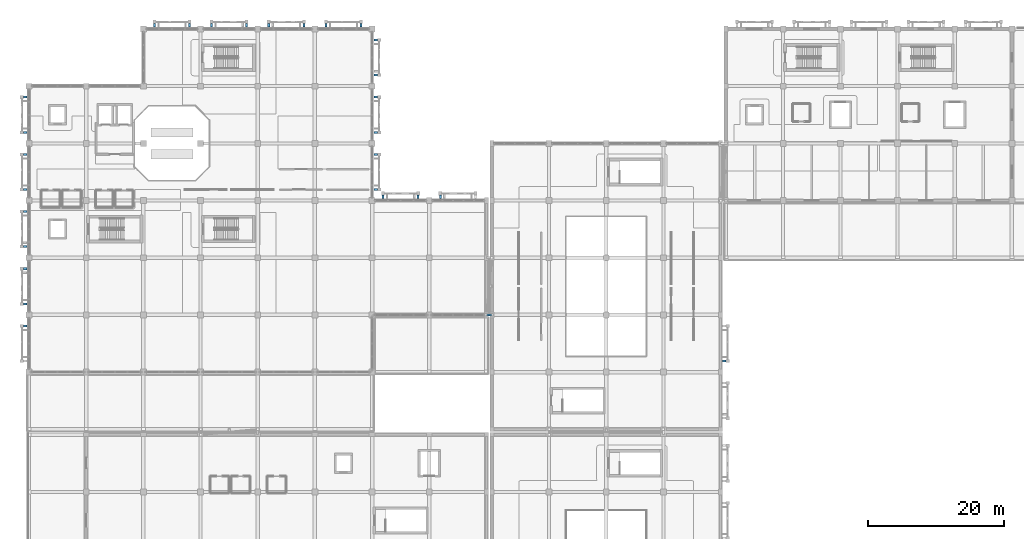
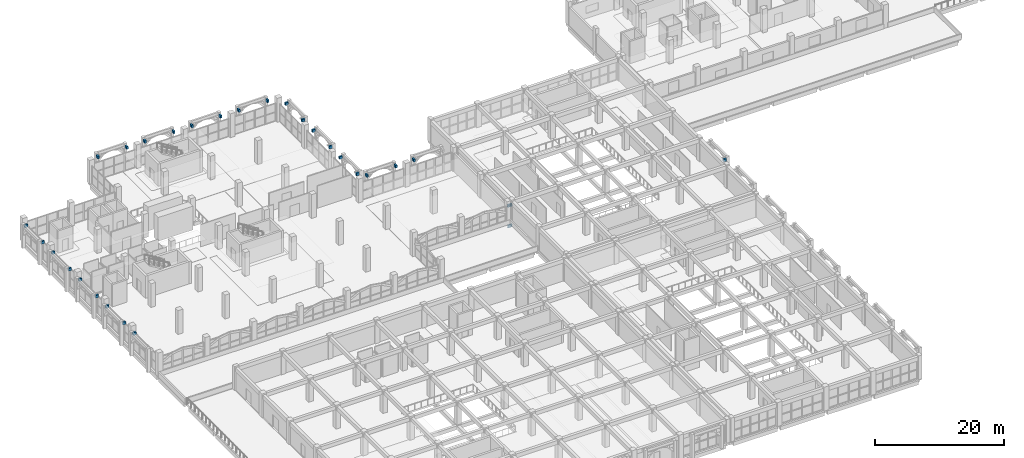
# One storey, part 78 of 129: 29 beams, 1 member.
"""IFC4 building model written with IfcOpenShell, lengths in metres."""

from ifc_helpers import new_model, si_unit, direction, frame, origin, origin_2d, place, context, subcontext, project, spatial, rectangle, hollow_rectangle, i_section, extrude, material, material_profile, profile_set, type_object, element, save


model = new_model("IFC4")

# Units and contexts
model_context = context("Model", 3, precision=1e-05, world=origin(), true_north=direction((0.0, 1.0)))
body_context = subcontext(model_context, "Body", "Model", "MODEL_VIEW")
ifc_project = project(units=[si_unit("LENGTHUNIT", "METRE"), si_unit("AREAUNIT", "SQUARE_METRE"), si_unit("VOLUMEUNIT", "CUBIC_METRE"), si_unit("PLANEANGLEUNIT", "RADIAN"), si_unit("MASSUNIT", "GRAM", prefix="KILO")], contexts=[model_context])

# Site, building, storey
site_placement = place(None, origin())
site = spatial("IfcSite", under=ifc_project, at=site_placement, CompositionType="ELEMENT")
building_placement = place(site_placement, origin())
building = spatial("IfcBuilding", under=site, at=building_placement, Name="Xazarin Passage Department Store", CompositionType="ELEMENT")
storey_placement = place(building_placement, frame((0.0, 0.0, 9.89990234375)))
storey = spatial("IfcBuildingStorey", under=building, at=storey_placement, Name="L02", CompositionType="ELEMENT", Elevation=9.89990234375)

# Beams
ifc_material_1 = material(Name="Steel S355", Category="steel")
ifc_material_profile_1 = material_profile(ifc_material_1, i_section(OverallWidth=0.300048828125, OverallDepth=0.449951171875, WebThickness=0.013916015625, FlangeThickness=0.02587890625, FilletRadius=0.027099609375, at=origin_2d()), Name="HEB 450")
ifc_profile_set_1 = profile_set([ifc_material_profile_1], Name="Steel S355")
beam_type_1 = type_object("IfcBeamType", Name="STR-BM-BR450", PredefinedType="BEAM", material=ifc_profile_set_1)
beam_1_placement = place(storey_placement, frame((67.199951171875, 68.0, -0.56494140625), z_axis=(1.0, 0.0, 0.0), x_axis=(0.0, 1.0, 0.0)))
element("IfcBeam", 1, at=beam_1_placement, inside=storey, type_object=beam_type_1, Name="L02 BR-V1-V2N Bridge Girder A", PredefinedType="BEAM", context=body_context, shape_type="SweptSolid", body=[
    extrude(i_section(OverallWidth=0.300048828125, OverallDepth=0.449951171875, WebThickness=0.013916015625, FlangeThickness=0.02587890625, FilletRadius=0.027099609375, at=origin_2d()), origin(), (0.0, 0.0, 1.0), 0.800048828125),
])
ifc_material_profile_2 = material_profile(ifc_material_1, i_section(OverallWidth=0.260009765625, OverallDepth=0.25, WebThickness=0.007568359375, FlangeThickness=0.012451171875, FilletRadius=0.02392578125, at=origin_2d()), Name="HEA 260")
ifc_profile_set_2 = profile_set([ifc_material_profile_2], Name="Steel S355")
beam_type_2 = type_object("IfcBeamType", Name="STR-BM-CAN260", PredefinedType="BEAM", material=ifc_profile_set_2)
beam_2_placement = place(storey_placement, frame((67.199951171875, 68.0, 3.47509765625), z_axis=(1.0, 0.0, 0.0), x_axis=(0.0, 1.0, 0.0)))
element("IfcBeam", 2, at=beam_2_placement, inside=storey, type_object=beam_type_2, Name="L02 BR-V1-V2N Bridge Roof Beam A", PredefinedType="BEAM", context=body_context, shape_type="SweptSolid", body=[
    extrude(i_section(OverallWidth=0.260009765625, OverallDepth=0.25, WebThickness=0.007568359375, FlangeThickness=0.012451171875, FilletRadius=0.02392578125, at=origin_2d()), origin(), (0.0, 0.0, 1.0), 0.800048828125),
])
ifc_material_2 = material(Name="Concrete C35/45", Category="concrete")
ifc_material_profile_3 = material_profile(ifc_material_2, rectangle(XDim=0.300048828125, YDim=0.5, at=origin_2d()), Name="RC 300x500")
ifc_profile_set_3 = profile_set([ifc_material_profile_3], Name="Concrete C35/45")
beam_type_3 = type_object("IfcBeamType", Name="STR-BM-LN300x500", PredefinedType="LINTEL", material=ifc_profile_set_3)
for number, where, z_axis, x_axis, name in (
    (3, (18.419921875, 110.280029296875, 3.9501953125), (0.0, 1.0, 0.0), (-1.0, 0.0, 0.0), "L02 V1 Colonnade Tie Rib 001L"),
    (4, (23.580078125, 110.280029296875, 3.9501953125), (0.0, 1.0, 0.0), (-1.0, 0.0, 0.0), "L02 V1 Colonnade Tie Rib 001R"),
    (5, (26.820068359375, 110.280029296875, 3.9501953125), (0.0, 1.0, 0.0), (-1.0, 0.0, 0.0), "L02 V1 Colonnade Tie Rib 002L"),
    (6, (31.97998046875, 110.280029296875, 3.9501953125), (0.0, 1.0, 0.0), (-1.0, 0.0, 0.0), "L02 V1 Colonnade Tie Rib 002R"),
    (7, (35.219970703125, 110.280029296875, 3.9501953125), (0.0, 1.0, 0.0), (-1.0, 0.0, 0.0), "L02 V1 Colonnade Tie Rib 003L"),
    (8, (40.3798828125, 110.280029296875, 3.9501953125), (0.0, 1.0, 0.0), (-1.0, 0.0, 0.0), "L02 V1 Colonnade Tie Rib 003R"),
    (9, (43.6201171875, 110.280029296875, 3.9501953125), (0.0, 1.0, 0.0), (-1.0, 0.0, 0.0), "L02 V1 Colonnade Tie Rib 004L"),
    (10, (48.780029296875, 110.280029296875, 3.9501953125), (0.0, 1.0, 0.0), (-1.0, 0.0, 0.0), "L02 V1 Colonnade Tie Rib 004R"),
):
    element("IfcBeam", number, at=place(storey_placement, frame(where, z_axis=z_axis, x_axis=x_axis)), inside=storey, type_object=beam_type_3, Name=name, PredefinedType="LINTEL", context=body_context, shape_type="SweptSolid", body=[
        extrude(rectangle(XDim=0.300048828125, YDim=0.5, at=origin_2d()), origin(), (0.0, 0.0, 1.0), 0.550048828125),
    ])
for number, where, z_axis, x_axis, name in (
    (11, (52.02001953125, 85.080078125, 3.9501953125), (0.0, 1.0, 0.0), (-1.0, 0.0, 0.0), "L02 V1 Colonnade Tie Rib 005L"),
    (12, (57.179931640625, 85.080078125, 3.9501953125), (0.0, 1.0, 0.0), (-1.0, 0.0, 0.0), "L02 V1 Colonnade Tie Rib 005R"),
    (13, (60.419921875, 85.080078125, 3.9501953125), (0.0, 1.0, 0.0), (-1.0, 0.0, 0.0), "L02 V1 Colonnade Tie Rib 007L"),
):
    element("IfcBeam", number, at=place(storey_placement, frame(where, z_axis=z_axis, x_axis=x_axis)), inside=storey, type_object=beam_type_3, Name=name, PredefinedType="LINTEL", context=body_context, shape_type="SweptSolid", body=[
        extrude(rectangle(XDim=0.300048828125, YDim=0.5, at=origin_2d()), origin(), (0.0, 0.0, 1.0), 0.5498046875),
    ])
for number, where, z_axis, x_axis, name in (
    (14, (-0.280029296875, 66.3798828125, 3.9501953125), (-1.0, 0.0, 0.0), (0.0, -1.0, 0.0), "L02 V1 Colonnade Tie Rib 009R"),
    (15, (-0.280029296875, 69.6201171875, 3.9501953125), (-1.0, 0.0, 0.0), (0.0, -1.0, 0.0), "L02 V1 Colonnade Tie Rib 010L"),
    (16, (-0.280029296875, 74.780029296875, 3.9501953125), (-1.0, 0.0, 0.0), (0.0, -1.0, 0.0), "L02 V1 Colonnade Tie Rib 010R"),
    (17, (-0.280029296875, 78.02001953125, 3.9501953125), (-1.0, 0.0, 0.0), (0.0, -1.0, 0.0), "L02 V1 Colonnade Tie Rib 011L"),
    (18, (-0.280029296875, 83.179931640625, 3.9501953125), (-1.0, 0.0, 0.0), (0.0, -1.0, 0.0), "L02 V1 Colonnade Tie Rib 011R"),
    (19, (-0.280029296875, 86.419921875, 3.9501953125), (-1.0, 0.0, 0.0), (0.0, -1.0, 0.0), "L02 V1 Colonnade Tie Rib 012L"),
    (20, (-0.280029296875, 91.580078125, 3.9501953125), (-1.0, 0.0, 0.0), (0.0, -1.0, 0.0), "L02 V1 Colonnade Tie Rib 012R"),
    (21, (-0.280029296875, 94.820068359375, 3.9501953125), (-1.0, 0.0, 0.0), (0.0, -1.0, 0.0), "L02 V1 Colonnade Tie Rib 013L"),
    (22, (-0.280029296875, 99.97998046875, 3.9501953125), (-1.0, 0.0, 0.0), (0.0, -1.0, 0.0), "L02 V1 Colonnade Tie Rib 013R"),
    (23, (50.679931640625, 86.419921875, 3.9501953125), (1.0, 0.0, 0.0), (0.0, 1.0, 0.0), "L02 V1 Colonnade Tie Rib 014L"),
    (24, (50.679931640625, 91.580078125, 3.9501953125), (1.0, 0.0, 0.0), (0.0, 1.0, 0.0), "L02 V1 Colonnade Tie Rib 014R"),
    (25, (50.679931640625, 94.820068359375, 3.9501953125), (1.0, 0.0, 0.0), (0.0, 1.0, 0.0), "L02 V1 Colonnade Tie Rib 015L"),
    (26, (50.679931640625, 99.97998046875, 3.9501953125), (1.0, 0.0, 0.0), (0.0, 1.0, 0.0), "L02 V1 Colonnade Tie Rib 015R"),
    (27, (50.679931640625, 103.219970703125, 3.9501953125), (1.0, 0.0, 0.0), (0.0, 1.0, 0.0), "L02 V1 Colonnade Tie Rib 016L"),
    (28, (50.679931640625, 108.3798828125, 3.9501953125), (1.0, 0.0, 0.0), (0.0, 1.0, 0.0), "L02 V1 Colonnade Tie Rib 016R"),
    (29, (101.8798828125, 61.219970703125, 3.9501953125), (1.0, 0.0, 0.0), (0.0, 1.0, 0.0), "L02 V2N Colonnade Tie Rib 025L"),
):
    element("IfcBeam", number, at=place(storey_placement, frame(where, z_axis=z_axis, x_axis=x_axis)), inside=storey, type_object=beam_type_3, Name=name, PredefinedType="LINTEL", context=body_context, shape_type="SweptSolid", body=[
        extrude(rectangle(XDim=0.300048828125, YDim=0.5, at=origin_2d()), origin(), (0.0, 0.0, 1.0), 0.550048828125),
    ])

# Member
ifc_material_profile_4 = material_profile(ifc_material_1, hollow_rectangle(XDim=0.199951171875, YDim=0.300048828125, WallThickness=0.012451171875, at=origin_2d()), Name="RHS 300x200x12.5")
ifc_profile_set_4 = profile_set([ifc_material_profile_4], Name="Steel S355")
member_type = type_object("IfcMemberType", Name="STR-MEM-CH300", PredefinedType="CHORD", material=ifc_profile_set_4)
member_placement = place(storey_placement, frame((67.199951171875, 68.0, 3.25), z_axis=(1.0, 0.0, 0.0), x_axis=(0.0, 1.0, 0.0)))
element("IfcMember", 30, at=member_placement, inside=storey, type_object=member_type, Name="L02 BR-V1-V2N Bridge Chord A", PredefinedType="CHORD", context=body_context, shape_type="SweptSolid", body=[
    extrude(hollow_rectangle(XDim=0.199951171875, YDim=0.300048828125, WallThickness=0.012451171875, at=origin_2d()), origin(), (0.0, 0.0, 1.0), 0.800048828125),
])

save(model, "model.ifc")
